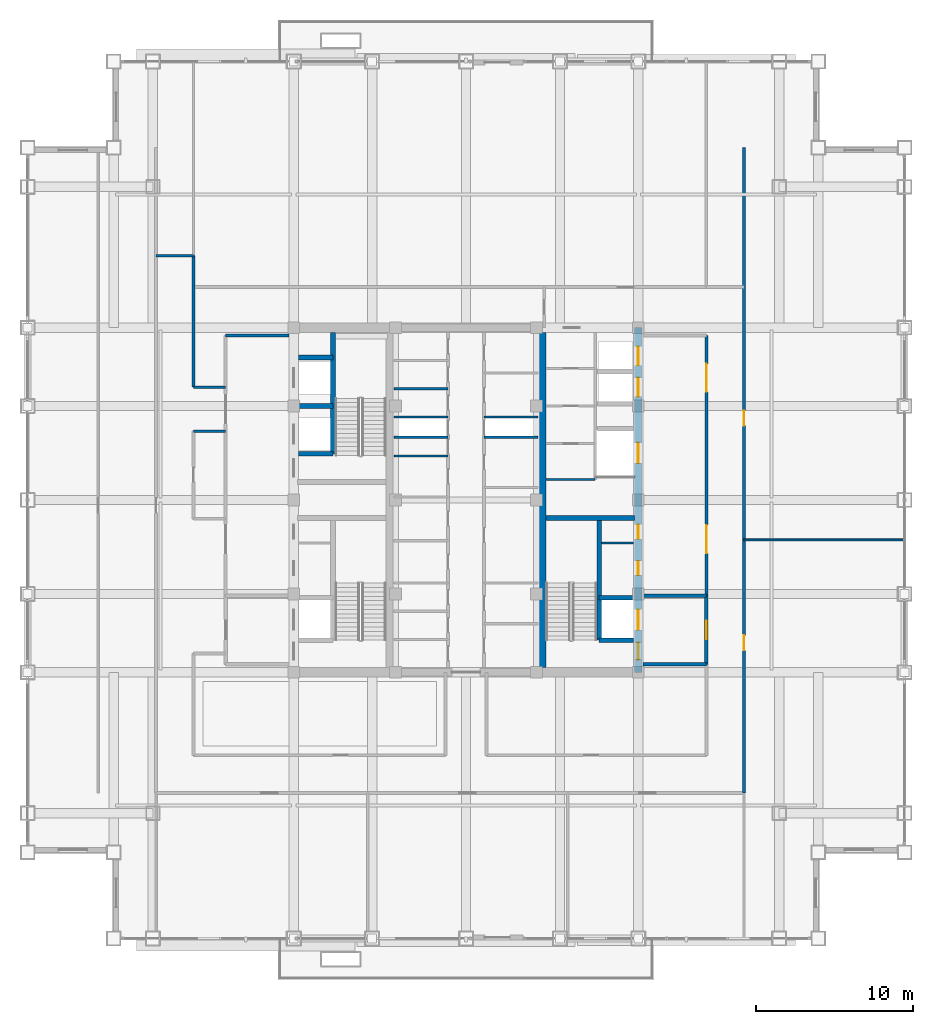
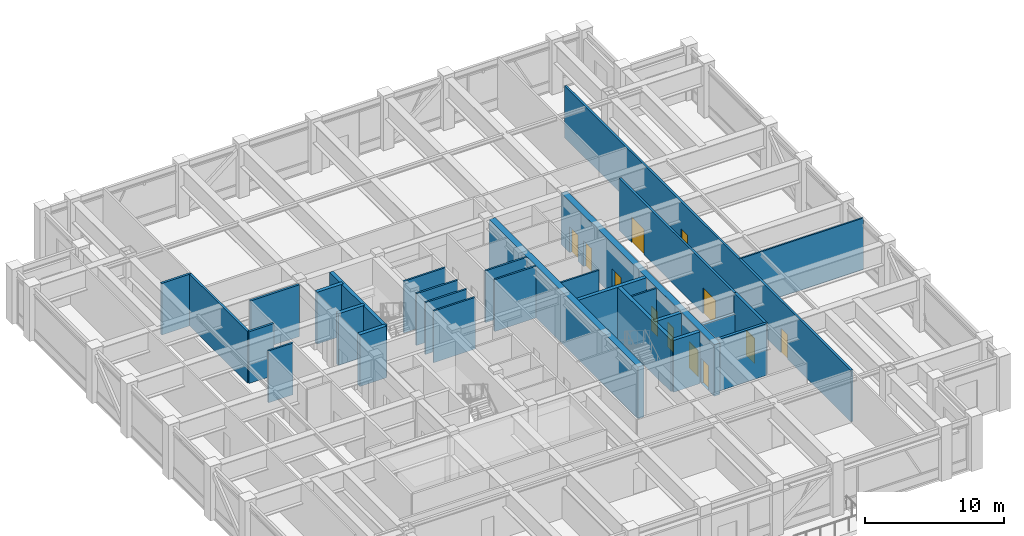
# One storey, part 24 of 31: 29 walls, 12 doors, 12 openings.
"""IFC4 building model written with IfcOpenShell, lengths in metres."""

from ifc_helpers import new_model, si_unit, direction, frame, frame_2d, origin, place, context, subcontext, project, spatial, rectangle, extrude, source, transform, mapped, material, layer, layer_set, type_object, element, fill, save


model = new_model("IFC4")

# Units and contexts
model_context = context("Model", 3, precision=1e-05, world=origin(), true_north=direction((0.0, 1.0)))
body_context = subcontext(model_context, "Body", "Model", "MODEL_VIEW")
ifc_project = project(units=[si_unit("LENGTHUNIT", "METRE"), si_unit("AREAUNIT", "SQUARE_METRE"), si_unit("VOLUMEUNIT", "CUBIC_METRE"), si_unit("PLANEANGLEUNIT", "RADIAN"), si_unit("MASSUNIT", "GRAM", prefix="KILO")], contexts=[model_context])

# Site, building, storey
site_placement = place(None, origin())
site = spatial("IfcSite", under=ifc_project, at=site_placement, CompositionType="ELEMENT")
building_placement = place(site_placement, origin())
building = spatial("IfcBuilding", under=site, at=building_placement, Name="Khorayat Bourse Tower", CompositionType="ELEMENT")
storey_placement = place(building_placement, frame((0.0, 0.0, 321.5)))
storey = spatial("IfcBuildingStorey", under=building, at=storey_placement, Name="L76", CompositionType="ELEMENT", Elevation=321.5)

# Wall, openings, doors
ifc_material_1 = material(Name="Concrete C52/65", Category="concrete")
ifc_layer_1 = layer(ifc_material_1, 0.5)
ifc_layer_set_1 = layer_set([ifc_layer_1], Name="Concrete C52/65")
wall_type_1 = type_object("IfcWallType", Name="WAL-CORE-500", PredefinedType="SHEAR", material=ifc_layer_set_1)
shared_shape_1 = source(origin(), body_context, "Body", "SweptSolid", [
    extrude(rectangle(XDim=22.0, YDim=0.5, at=frame_2d((11.0, 0.0))), origin(), (0.0, 0.0, 1.0), 4.5400390625),
])
wall_1_placement = place(storey_placement, frame((11.0, -11.0, 0.0), z_axis=(0.0, 0.0, 1.0), x_axis=(0.0, 1.0, 0.0)))
wall_1 = element("IfcWall", 1, at=wall_1_placement, inside=storey, type_object=wall_type_1, Name="L76 Core Shear Wall CORE-E", PredefinedType="SHEAR", context=body_context, shape_type="MappedRepresentation", body=[
    mapped(shared_shape_1, transform((0.0, 0.0, 0.0), scale=1.0)),
])
shared_shape_2 = source(origin(), body_context, "Body", "SweptSolid", [
    extrude(rectangle(XDim=1.10009765625, YDim=2.199951171875, at=frame_2d((0.550048828125, 1.10009765625))), frame((0.0, 0.260009765625, 0.0), z_axis=(0.0, -1.0, 0.0), x_axis=(1.0, 0.0, 0.0)), (0.0, 0.0, 1.0), 0.52001953125),
])
opening_1_placement = place(wall_1_placement, frame((0.800048828125, 0.0, 0.0)))
opening_1 = element("IfcOpeningElement", 2, at=opening_1_placement, cuts=wall_1, Name="Opening DI-01", PredefinedType="OPENING", context=body_context, shape_type="MappedRepresentation", body=[
    mapped(shared_shape_2, transform((0.0, 0.0, 0.0), scale=1.0)),
])
shared_shape_3 = source(origin(), body_context, "Body", "SweptSolid", [
    extrude(rectangle(XDim=0.89990234375, YDim=2.14990234375, at=frame_2d((0.449951171875, 1.074951171875))), frame((0.0, 0.260009765625, 0.0), z_axis=(0.0, -1.0, 0.0), x_axis=(1.0, 0.0, 0.0)), (0.0, 0.0, 1.0), 0.52001953125),
])
opening_2_placement = place(wall_1_placement, frame((6.199951171875, 0.0, 0.0)))
opening_2 = element("IfcOpeningElement", 3, at=opening_2_placement, cuts=wall_1, Name="Opening DI-06", PredefinedType="OPENING", context=body_context, shape_type="MappedRepresentation", body=[
    mapped(shared_shape_3, transform((0.0, 0.0, 0.0), scale=1.0)),
])
opening_3_placement = place(wall_1_placement, frame((8.52490234375, 0.0, 0.0)))
opening_3 = element("IfcOpeningElement", 4, at=opening_3_placement, cuts=wall_1, Name="Opening DI-06", PredefinedType="OPENING", context=body_context, shape_type="MappedRepresentation", body=[
    mapped(shared_shape_3, transform((0.0, 0.0, 0.0), scale=1.0)),
])
shared_shape_4 = source(origin(), body_context, "Body", "SweptSolid", [
    extrude(rectangle(XDim=1.199951171875, YDim=2.300048828125, at=frame_2d((0.60009765625, 1.14990234375))), frame((0.0, 0.260009765625, 0.0), z_axis=(0.0, -1.0, 0.0), x_axis=(1.0, 0.0, 0.0)), (0.0, 0.0, 1.0), 0.52001953125),
])
opening_4_placement = place(wall_1_placement, frame((17.60009765625, 0.0, 0.0)))
opening_4 = element("IfcOpeningElement", 5, at=opening_4_placement, cuts=wall_1, Name="Opening LD-01", PredefinedType="OPENING", context=body_context, shape_type="MappedRepresentation", body=[
    mapped(shared_shape_4, transform((0.0, 0.0, 0.0), scale=1.0)),
])
opening_5_placement = place(wall_1_placement, frame((19.60009765625, 0.0, 0.0)))
opening_5 = element("IfcOpeningElement", 6, at=opening_5_placement, cuts=wall_1, Name="Opening LD-01", PredefinedType="OPENING", context=body_context, shape_type="MappedRepresentation", body=[
    mapped(shared_shape_4, transform((0.0, 0.0, 0.0), scale=1.0)),
])
shared_shape_5 = source(origin(), body_context, "Body", "SweptSolid", [
    extrude(rectangle(XDim=1.300048828125, YDim=2.300048828125, at=frame_2d((0.64990234375, 1.14990234375))), frame((0.0, 0.260009765625, 0.0), z_axis=(0.0, -1.0, 0.0), x_axis=(1.0, 0.0, 0.0)), (0.0, 0.0, 1.0), 0.52001953125),
])
opening_6_placement = place(wall_1_placement, frame((2.699951171875, 0.0, 0.0)))
opening_6 = element("IfcOpeningElement", 7, at=opening_6_placement, cuts=wall_1, Name="Opening LD-02", PredefinedType="OPENING", context=body_context, shape_type="MappedRepresentation", body=[
    mapped(shared_shape_5, transform((0.0, 0.0, 0.0), scale=1.0)),
])
opening_7_placement = place(wall_1_placement, frame((13.35009765625, 0.0, 0.0)))
opening_7 = element("IfcOpeningElement", 8, at=opening_7_placement, cuts=wall_1, Name="Opening LD-02", PredefinedType="OPENING", context=body_context, shape_type="MappedRepresentation", body=[
    mapped(shared_shape_5, transform((0.0, 0.0, 0.0), scale=1.0)),
])
ifc_material_2 = material(Name="Fire-rated steel acoustic leaf", Category="steel")
door_type_1 = type_object("IfcDoorType", Name="DR-INT-STAIR-1100", OperationType="NOTDEFINED", PredefinedType="DOOR", material=ifc_material_2)
shared_shape_6 = source(origin(), body_context, "Body", "SweptSolid", [
    extrude(rectangle(XDim=1.10009765625, YDim=2.199951171875, at=frame_2d((0.550048828125, 1.10009765625))), frame((0.0, 0.02490234375, 0.0), z_axis=(0.0, -1.0, 0.0), x_axis=(1.0, 0.0, 0.0)), (0.0, 0.0, 1.0), 0.050048828125),
])
door_1_placement = place(opening_1_placement, origin())
door_1 = element("IfcDoor", 9, at=door_1_placement, inside=storey, type_object=door_type_1, Name="L76 Exit Stair 3 Door", OperationType="SINGLE_SWING_LEFT", OverallHeight=2.199951171875, OverallWidth=1.10009765625, PredefinedType="DOOR", context=body_context, shape_type="MappedRepresentation", body=[
    mapped(shared_shape_6, transform((0.0, 0.0, 0.0), scale=1.0)),
])
fill(opening_1, door_1)
ifc_material_3 = material(Name="Moisture-resistant laminate washroom door")
door_type_2 = type_object("IfcDoorType", Name="DR-INT-WC-900", OperationType="NOTDEFINED", PredefinedType="DOOR", material=ifc_material_3)
shared_shape_7 = source(origin(), body_context, "Body", "SweptSolid", [
    extrude(rectangle(XDim=0.89990234375, YDim=2.14990234375, at=frame_2d((0.449951171875, 1.074951171875))), frame((0.0, 0.02490234375, 0.0), z_axis=(0.0, -1.0, 0.0), x_axis=(1.0, 0.0, 0.0)), (0.0, 0.0, 1.0), 0.050048828125),
])
door_2_placement = place(opening_2_placement, origin())
door_2 = element("IfcDoor", 10, at=door_2_placement, inside=storey, type_object=door_type_2, Name="L76 Telecom Closet Door", OperationType="SINGLE_SWING_LEFT", OverallHeight=2.14990234375, OverallWidth=0.89990234375, PredefinedType="DOOR", context=body_context, shape_type="MappedRepresentation", body=[
    mapped(shared_shape_7, transform((0.0, 0.0, 0.0), scale=1.0)),
])
fill(opening_2, door_2)
door_3_placement = place(opening_3_placement, origin())
door_3 = element("IfcDoor", 11, at=door_3_placement, inside=storey, type_object=door_type_2, Name="L76 Stationery Store Door", OperationType="SINGLE_SWING_RIGHT", OverallHeight=2.14990234375, OverallWidth=0.89990234375, PredefinedType="DOOR", context=body_context, shape_type="MappedRepresentation", body=[
    mapped(shared_shape_7, transform((0.0, 0.0, 0.0), scale=1.0)),
])
fill(opening_3, door_3)
ifc_material_4 = material(Name="Brushed bronze stainless-steel sliding door", Category="steel")
door_type_3 = type_object("IfcDoorType", Name="DR-LIFT-PASS-1200", OperationType="NOTDEFINED", PredefinedType="DOOR", material=ifc_material_4)
shared_shape_8 = source(origin(), body_context, "Body", "SweptSolid", [
    extrude(rectangle(XDim=1.199951171875, YDim=2.300048828125, at=frame_2d((0.60009765625, 1.14990234375))), frame((0.0, 0.02490234375, 0.0), z_axis=(0.0, -1.0, 0.0), x_axis=(1.0, 0.0, 0.0)), (0.0, 0.0, 1.0), 0.050048828125),
])
door_4_placement = place(opening_4_placement, origin())
door_4 = element("IfcDoor", 12, at=door_4_placement, inside=storey, type_object=door_type_3, Name="L76 Lift PL-H3 Sliding Landing Door", OperationType="SLIDING_TO_LEFT", OverallHeight=2.300048828125, OverallWidth=1.199951171875, PredefinedType="DOOR", context=body_context, shape_type="MappedRepresentation", body=[
    mapped(shared_shape_8, transform((0.0, 0.0, 0.0), scale=1.0)),
])
fill(opening_4, door_4)
door_5_placement = place(opening_5_placement, origin())
door_5 = element("IfcDoor", 13, at=door_5_placement, inside=storey, type_object=door_type_3, Name="L76 Lift PL-H4 Sliding Landing Door", OperationType="SLIDING_TO_LEFT", OverallHeight=2.300048828125, OverallWidth=1.199951171875, PredefinedType="DOOR", context=body_context, shape_type="MappedRepresentation", body=[
    mapped(shared_shape_8, transform((0.0, 0.0, 0.0), scale=1.0)),
])
fill(opening_5, door_5)
ifc_material_5 = material(Name="Fire-rated stainless-steel sliding landing door", Category="steel")
door_type_4 = type_object("IfcDoorType", Name="DR-LIFT-FF-1300", OperationType="NOTDEFINED", PredefinedType="DOOR", material=ifc_material_5)
shared_shape_9 = source(origin(), body_context, "Body", "SweptSolid", [
    extrude(rectangle(XDim=1.300048828125, YDim=2.300048828125, at=frame_2d((0.64990234375, 1.14990234375))), frame((0.0, 0.02490234375, 0.0), z_axis=(0.0, -1.0, 0.0), x_axis=(1.0, 0.0, 0.0)), (0.0, 0.0, 1.0), 0.050048828125),
])
door_6_placement = place(opening_6_placement, origin())
door_6 = element("IfcDoor", 14, at=door_6_placement, inside=storey, type_object=door_type_4, Name="L76 Lift FFL-02 Sliding Landing Door", OperationType="SLIDING_TO_LEFT", OverallHeight=2.300048828125, OverallWidth=1.300048828125, PredefinedType="DOOR", context=body_context, shape_type="MappedRepresentation", body=[
    mapped(shared_shape_9, transform((0.0, 0.0, 0.0), scale=1.0)),
])
fill(opening_6, door_6)
door_7_placement = place(opening_7_placement, origin())
door_7 = element("IfcDoor", 15, at=door_7_placement, inside=storey, type_object=door_type_4, Name="L76 Lift SVL-01 Sliding Landing Door", OperationType="SLIDING_TO_LEFT", OverallHeight=2.300048828125, OverallWidth=1.300048828125, PredefinedType="DOOR", context=body_context, shape_type="MappedRepresentation", body=[
    mapped(shared_shape_9, transform((0.0, 0.0, 0.0), scale=1.0)),
])
fill(opening_7, door_7)

# Walls
shared_shape_10 = source(origin(), body_context, "Body", "SweptSolid", [
    extrude(rectangle(XDim=21.39990234375, YDim=0.5, at=frame_2d((10.699951171875, 0.0))), origin(), (0.0, 0.0, 1.0), 4.5400390625),
])
wall_2_placement = place(storey_placement, frame((4.85009765625, -10.699951171875, 0.0), z_axis=(0.0, 0.0, 1.0), x_axis=(0.0, 1.0, 0.0)))
element("IfcWall", 16, at=wall_2_placement, inside=storey, type_object=wall_type_1, Name="L76 Core Shear Wall PIER-E", PredefinedType="SHEAR", context=body_context, shape_type="MappedRepresentation", body=[
    mapped(shared_shape_10, transform((0.0, 0.0, 0.0), scale=1.0)),
])
ifc_material_6 = material(Name="Concrete C50/60", Category="concrete")
ifc_layer_2 = layer(ifc_material_6, 0.300048828125)
ifc_layer_set_2 = layer_set([ifc_layer_2], Name="Concrete C50/60")
wall_type_2 = type_object("IfcWallType", Name="WAL-SHAFT-300", PredefinedType="SHEAR", material=ifc_layer_set_2)
shared_shape_11 = source(origin(), body_context, "Body", "SweptSolid", [
    extrude(rectangle(XDim=5.64990234375, YDim=0.300048828125, at=frame_2d((2.824951171875, 0.0))), origin(), (0.0, 0.0, 1.0), 4.5400390625),
])
wall_3_placement = place(storey_placement, frame((5.10009765625, -1.14990234375, 0.0), z_axis=(0.0, 0.0, 1.0), x_axis=(1.0, 0.0, 0.0)))
element("IfcWall", 17, at=wall_3_placement, inside=storey, type_object=wall_type_2, Name="L76 Core Shear Wall ST3-DIV", PredefinedType="SHEAR", context=body_context, shape_type="MappedRepresentation", body=[
    mapped(shared_shape_11, transform((0.0, 0.0, 0.0), scale=1.0)),
])
shared_shape_12 = source(origin(), body_context, "Body", "SweptSolid", [
    extrude(rectangle(XDim=7.800048828125, YDim=0.300048828125, at=frame_2d((3.89990234375, 0.0))), origin(), (0.0, 0.0, 1.0), 4.5400390625),
])
wall_4_placement = place(storey_placement, frame((8.5, -8.949951171875, 0.0), z_axis=(0.0, 0.0, 1.0), x_axis=(0.0, 1.0, 0.0)))
element("IfcWall", 18, at=wall_4_placement, inside=storey, type_object=wall_type_2, Name="L76 Partition WAL-L76-EPIER-SP", PredefinedType="SHEAR", context=body_context, shape_type="MappedRepresentation", body=[
    mapped(shared_shape_12, transform((0.0, 0.0, 0.0), scale=1.0)),
])
shared_shape_13 = source(origin(), body_context, "Body", "SweptSolid", [
    extrude(rectangle(XDim=2.199951171875, YDim=0.300048828125, at=frame_2d((1.10009765625, 0.0))), origin(), (0.0, 0.0, 1.0), 4.5400390625),
])
for number, where, z_axis, x_axis, name in (
    (19, (-10.699951171875, 2.949951171875, 0.0), (0.0, 0.0, 1.0), (1.0, 0.0, 0.0), "L76 Partition WAL-L76-WPIER-H1S"),
    (20, (-10.699951171875, 6.0, 0.0), (0.0, 0.0, 1.0), (1.0, 0.0, 0.0), "L76 Partition WAL-L76-WPIER-H12"),
    (21, (-10.699951171875, 9.10009765625, 0.0), (0.0, 0.0, 1.0), (1.0, 0.0, 0.0), "L76 Partition WAL-L76-WPIER-H2N"),
    (22, (8.5, -8.949951171875, 0.0), (0.0, 0.0, 1.0), (1.0, 0.0, 0.0), "L76 Partition WAL-L76-EPIER-FF2S"),
    (23, (8.5, -6.25, 0.0), (0.0, 0.0, 1.0), (1.0, 0.0, 0.0), "L76 Partition WAL-L76-EPIER-FF2N"),
):
    element("IfcWall", number, at=place(storey_placement, frame(where, z_axis=z_axis, x_axis=x_axis)), inside=storey, type_object=wall_type_2, Name=name, PredefinedType="SHEAR", context=body_context, shape_type="MappedRepresentation", body=[
        mapped(shared_shape_13, transform((0.0, 0.0, 0.0), scale=1.0)),
    ])
shared_shape_14 = source(origin(), body_context, "Body", "SweptSolid", [
    extrude(rectangle(XDim=7.75, YDim=0.300048828125, at=frame_2d((3.875, 0.0))), origin(), (0.0, 0.0, 1.0), 4.5400390625),
])
wall_5_placement = place(storey_placement, frame((-8.5, 2.949951171875, 0.0), z_axis=(0.0, 0.0, 1.0), x_axis=(0.0, 1.0, 0.0)))
element("IfcWall", 24, at=wall_5_placement, inside=storey, type_object=wall_type_2, Name="L76 Partition WAL-L76-WPIER-ST2S", PredefinedType="SHEAR", context=body_context, shape_type="MappedRepresentation", body=[
    mapped(shared_shape_14, transform((0.0, 0.0, 0.0), scale=1.0)),
])
ifc_material_7 = material(Name="Gypsum plasterboard twin-frame partition")
ifc_layer_3 = layer(ifc_material_7, 0.14990234375)
ifc_layer_set_3 = layer_set([ifc_layer_3], Name="Gypsum plasterboard twin-frame partition")
wall_type_3 = type_object("IfcWallType", Name="WAL-PART-SUITE-150", PredefinedType="PARTITIONING", material=ifc_layer_set_3)
shared_shape_15 = source(origin(), body_context, "Body", "SweptSolid", [
    extrude(rectangle(XDim=2.050048828125, YDim=0.14990234375, at=frame_2d((1.02490234375, 0.0))), origin(), (0.0, 0.0, 1.0), 4.5400390625),
])
wall_6_placement = place(storey_placement, frame((8.64990234375, -2.75, 0.0), z_axis=(0.0, 0.0, 1.0), x_axis=(1.0, 0.0, 0.0)))
element("IfcWall", 25, at=wall_6_placement, inside=storey, type_object=wall_type_3, Name="L76 Partition WAL-L76-ESRV-D1", PredefinedType="PARTITIONING", context=body_context, shape_type="MappedRepresentation", body=[
    mapped(shared_shape_15, transform((0.0, 0.0, 0.0), scale=1.0)),
])
ifc_material_8 = material(Name="Moisture-resistant masonry partition", Category="masonry")
ifc_layer_4 = layer(ifc_material_8, 0.139892578125)
ifc_layer_set_4 = layer_set([ifc_layer_4], Name="Moisture-resistant masonry partition")
wall_type_4 = type_object("IfcWallType", Name="WAL-PART-WET-140", PredefinedType="PARTITIONING", material=ifc_layer_set_4)
shared_shape_16 = source(origin(), body_context, "Body", "SweptSolid", [
    extrude(rectangle(XDim=3.14990234375, YDim=0.139892578125, at=frame_2d((1.574951171875, 0.0))), origin(), (0.0, 0.0, 1.0), 4.5400390625),
])
wall_7_placement = place(storey_placement, frame((5.10009765625, 1.300048828125, 0.0), z_axis=(0.0, 0.0, 1.0), x_axis=(1.0, 0.0, 0.0)))
element("IfcWall", 26, at=wall_7_placement, inside=storey, type_object=wall_type_4, Name="L76 Partition WAL-L76-ECORE-S", PredefinedType="PARTITIONING", context=body_context, shape_type="MappedRepresentation", body=[
    mapped(shared_shape_16, transform((0.0, 0.0, 0.0), scale=1.0)),
])
ifc_material_9 = material(Name="Aerated concrete blockwork", Category="masonry")
ifc_layer_5 = layer(ifc_material_9, 0.219970703125)
ifc_layer_set_5 = layer_set([ifc_layer_5], Name="Aerated concrete blockwork")
wall_type_5 = type_object("IfcWallType", Name="WAL-PART-FF-220", PredefinedType="PARTITIONING", material=ifc_layer_set_5)
shared_shape_17 = source(origin(), body_context, "Body", "SweptSolid", [
    extrude(rectangle(XDim=4.050048828125, YDim=0.219970703125, at=frame_2d((2.02490234375, 0.0))), origin(), (0.0, 0.0, 1.0), 4.5400390625),
])
wall_8_placement = place(storey_placement, frame((11.300048828125, -10.5, 0.0), z_axis=(0.0, 0.0, 1.0), x_axis=(1.0, 0.0, 0.0)))
element("IfcWall", 27, at=wall_8_placement, inside=storey, type_object=wall_type_5, Name="L76 Partition WAL-L76-FFLE-S", PredefinedType="PARTITIONING", context=body_context, shape_type="MappedRepresentation", body=[
    mapped(shared_shape_17, transform((0.0, 0.0, 0.0), scale=1.0)),
])
shared_shape_18 = source(origin(), body_context, "Body", "SweptSolid", [
    extrude(rectangle(XDim=4.050048828125, YDim=0.219970703125, at=frame_2d((2.02490234375, 0.0))), origin(), (0.0, 0.0, 1.0), 2.739990234375),
])
wall_9_placement = place(storey_placement, frame((11.300048828125, -6.10009765625, 0.0), z_axis=(0.0, 0.0, 1.0), x_axis=(1.0, 0.0, 0.0)))
element("IfcWall", 28, at=wall_9_placement, inside=storey, type_object=wall_type_5, Name="L76 Partition WAL-L76-FFLE-N", PredefinedType="PARTITIONING", context=body_context, shape_type="MappedRepresentation", body=[
    mapped(shared_shape_18, transform((0.0, 0.0, 0.0), scale=1.0)),
])

# Wall, opening, door
shared_shape_19 = source(origin(), body_context, "Body", "SweptSolid", [
    extrude(rectangle(XDim=4.39990234375, YDim=0.219970703125, at=frame_2d((2.199951171875, 0.0))), origin(), (0.0, 0.0, 1.0), 4.5400390625),
])
wall_10_placement = place(storey_placement, frame((15.35009765625, -10.5, 0.0), z_axis=(0.0, 0.0, 1.0), x_axis=(0.0, 1.0, 0.0)))
wall_10 = element("IfcWall", 29, at=wall_10_placement, inside=storey, type_object=wall_type_5, Name="L76 Partition WAL-L76-FFLE-E", PredefinedType="PARTITIONING", context=body_context, shape_type="MappedRepresentation", body=[
    mapped(shared_shape_19, transform((0.0, 0.0, 0.0), scale=1.0)),
])
shared_shape_20 = source(origin(), body_context, "Body", "SweptSolid", [
    extrude(rectangle(XDim=1.199951171875, YDim=2.199951171875, at=frame_2d((0.60009765625, 1.10009765625))), frame((0.0, 0.119873046875, 0.0), z_axis=(0.0, -1.0, 0.0), x_axis=(1.0, 0.0, 0.0)), (0.0, 0.0, 1.0), 0.239990234375),
])
opening_8_placement = place(wall_10_placement, frame((1.60009765625, 0.0, 0.0)))
opening_8 = element("IfcOpeningElement", 30, at=opening_8_placement, cuts=wall_10, Name="Opening DI-02", PredefinedType="OPENING", context=body_context, shape_type="MappedRepresentation", body=[
    mapped(shared_shape_20, transform((0.0, 0.0, 0.0), scale=1.0)),
])
ifc_material_10 = material(Name="Fire-rated steel double-seal leaf", Category="steel")
door_type_5 = type_object("IfcDoorType", Name="DR-INT-FFLOBBY-1200", OperationType="NOTDEFINED", PredefinedType="DOOR", material=ifc_material_10)
shared_shape_21 = source(origin(), body_context, "Body", "SweptSolid", [
    extrude(rectangle(XDim=1.199951171875, YDim=2.199951171875, at=frame_2d((0.60009765625, 1.10009765625))), frame((0.0, 0.02490234375, 0.0), z_axis=(0.0, -1.0, 0.0), x_axis=(1.0, 0.0, 0.0)), (0.0, 0.0, 1.0), 0.050048828125),
])
door_8_placement = place(opening_8_placement, origin())
door_8 = element("IfcDoor", 31, at=door_8_placement, inside=storey, type_object=door_type_5, Name="L76 East Firefighting Lobby Door", OperationType="SINGLE_SWING_RIGHT", OverallHeight=2.199951171875, OverallWidth=1.199951171875, PredefinedType="DOOR", context=body_context, shape_type="MappedRepresentation", body=[
    mapped(shared_shape_21, transform((0.0, 0.0, 0.0), scale=1.0)),
])
fill(opening_8, door_8)

# Wall
ifc_material_11 = material(Name="Gypsum plasterboard acoustic stud wall")
ifc_layer_6 = layer(ifc_material_11, 0.179931640625)
ifc_layer_set_6 = layer_set([ifc_layer_6], Name="Gypsum plasterboard acoustic stud wall")
wall_type_6 = type_object("IfcWallType", Name="WAL-PART-CORR-180", PredefinedType="PARTITIONING", material=ifc_layer_set_6)
shared_shape_22 = source(origin(), body_context, "Body", "SweptSolid", [
    extrude(rectangle(XDim=4.050048828125, YDim=0.179931640625, at=frame_2d((2.02490234375, 0.0))), origin(), (0.0, 0.0, 1.0), 4.5400390625),
])
wall_11_placement = place(storey_placement, frame((-15.35009765625, 10.5, 0.0), z_axis=(0.0, 0.0, 1.0), x_axis=(1.0, 0.0, 0.0)))
element("IfcWall", 32, at=wall_11_placement, inside=storey, type_object=wall_type_6, Name="L76 Partition WAL-L76-WLOB-N", PredefinedType="PARTITIONING", context=body_context, shape_type="MappedRepresentation", body=[
    mapped(shared_shape_22, transform((0.0, 0.0, 0.0), scale=1.0)),
])

# Wall, openings, doors
shared_shape_23 = source(origin(), body_context, "Body", "SweptSolid", [
    extrude(rectangle(XDim=16.60009765625, YDim=0.179931640625, at=frame_2d((8.300048828125, 0.0))), origin(), (0.0, 0.0, 1.0), 4.5400390625),
])
wall_12_placement = place(storey_placement, frame((15.35009765625, -6.10009765625, 0.0), z_axis=(0.0, 0.0, 1.0), x_axis=(0.0, 1.0, 0.0)))
wall_12 = element("IfcWall", 33, at=wall_12_placement, inside=storey, type_object=wall_type_6, Name="L76 Partition WAL-L76-ELOB-E", PredefinedType="PARTITIONING", context=body_context, shape_type="MappedRepresentation", body=[
    mapped(shared_shape_23, transform((0.0, 0.0, 0.0), scale=1.0)),
])
shared_shape_24 = source(origin(), body_context, "Body", "SweptSolid", [
    extrude(rectangle(XDim=1.800048828125, YDim=2.25, at=frame_2d((0.89990234375, 1.125))), frame((0.0, 0.099853515625, 0.0), z_axis=(0.0, -1.0, 0.0), x_axis=(1.0, 0.0, 0.0)), (0.0, 0.0, 1.0), 0.199951171875),
])
opening_9_placement = place(wall_12_placement, frame((2.699951171875, 0.0, 0.0)))
opening_9 = element("IfcOpeningElement", 34, at=opening_9_placement, cuts=wall_12, Name="Opening DI-03", PredefinedType="OPENING", context=body_context, shape_type="MappedRepresentation", body=[
    mapped(shared_shape_24, transform((0.0, 0.0, 0.0), scale=1.0)),
])
opening_10_placement = place(wall_12_placement, frame((13.0, 0.0, 0.0)))
opening_10 = element("IfcOpeningElement", 35, at=opening_10_placement, cuts=wall_12, Name="Opening DI-03", PredefinedType="OPENING", context=body_context, shape_type="MappedRepresentation", body=[
    mapped(shared_shape_24, transform((0.0, 0.0, 0.0), scale=1.0)),
])
ifc_material_12 = material(Name="Fire-rated hardwood vision-panel double leaf", Category="wood")
door_type_6 = type_object("IfcDoorType", Name="DR-INT-CORR-1800", OperationType="NOTDEFINED", PredefinedType="DOOR", material=ifc_material_12)
shared_shape_25 = source(origin(), body_context, "Body", "SweptSolid", [
    extrude(rectangle(XDim=1.800048828125, YDim=2.25, at=frame_2d((0.89990234375, 1.125))), frame((0.0, 0.02490234375, 0.0), z_axis=(0.0, -1.0, 0.0), x_axis=(1.0, 0.0, 0.0)), (0.0, 0.0, 1.0), 0.050048828125),
])
door_9_placement = place(opening_9_placement, origin())
door_9 = element("IfcDoor", 36, at=door_9_placement, inside=storey, type_object=door_type_6, Name="L76 East Core Lobby South Door", OperationType="SINGLE_SWING_RIGHT", OverallHeight=2.25, OverallWidth=1.800048828125, PredefinedType="DOOR", context=body_context, shape_type="MappedRepresentation", body=[
    mapped(shared_shape_25, transform((0.0, 0.0, 0.0), scale=1.0)),
])
fill(opening_9, door_9)
door_10_placement = place(opening_10_placement, origin())
door_10 = element("IfcDoor", 37, at=door_10_placement, inside=storey, type_object=door_type_6, Name="L76 East Core Lobby North Door", OperationType="SINGLE_SWING_LEFT", OverallHeight=2.25, OverallWidth=1.800048828125, PredefinedType="DOOR", context=body_context, shape_type="MappedRepresentation", body=[
    mapped(shared_shape_25, transform((0.0, 0.0, 0.0), scale=1.0)),
])
fill(opening_10, door_10)

# Walls
shared_shape_26 = source(origin(), body_context, "Body", "SweptSolid", [
    extrude(rectangle(XDim=3.4501953125, YDim=0.14990234375, at=frame_2d((1.72509765625, 0.0))), origin(), (0.0, 0.0, 1.0), 4.5400390625),
])
for number, where, z_axis, x_axis, name in (
    (38, (-4.60009765625, 4.0, 0.0), (0.0, 0.0, 1.0), (1.0, 0.0, 0.0), "L76 Partition WAL-L76-CRSW-S"),
    (39, (1.14990234375, 4.0, 0.0), (0.0, 0.0, 1.0), (1.0, 0.0, 0.0), "L76 Partition WAL-L76-CRSE-S"),
    (40, (-4.60009765625, 5.300048828125, 0.0), (0.0, 0.0, 1.0), (1.0, 0.0, 0.0), "L76 Partition WAL-L76-FB2-SW"),
    (41, (1.14990234375, 5.300048828125, 0.0), (0.0, 0.0, 1.0), (1.0, 0.0, 0.0), "L76 Partition WAL-L76-FB2-SE"),
):
    element("IfcWall", number, at=place(storey_placement, frame(where, z_axis=z_axis, x_axis=x_axis)), inside=storey, type_object=wall_type_3, Name=name, PredefinedType="PARTITIONING", context=body_context, shape_type="MappedRepresentation", body=[
        mapped(shared_shape_26, transform((0.0, 0.0, 0.0), scale=1.0)),
    ])
shared_shape_27 = source(origin(), body_context, "Body", "SweptSolid", [
    extrude(rectangle(XDim=3.4501953125, YDim=0.139892578125, at=frame_2d((1.72509765625, 0.0))), origin(), (0.0, 0.0, 1.0), 4.5400390625),
])
for number, where, z_axis, x_axis, name in (
    (42, (-4.60009765625, 7.10009765625, 0.0), (0.0, 0.0, 1.0), (1.0, 0.0, 0.0), "L76 Partition WAL-L76-FB2W-D1"),
    (43, (-4.60009765625, 2.800048828125, 0.0), (0.0, 0.0, 1.0), (1.0, 0.0, 0.0), "L76 Partition WAL-L76-CMW-D3"),
):
    element("IfcWall", number, at=place(storey_placement, frame(where, z_axis=z_axis, x_axis=x_axis)), inside=storey, type_object=wall_type_4, Name=name, PredefinedType="PARTITIONING", context=body_context, shape_type="MappedRepresentation", body=[
        mapped(shared_shape_27, transform((0.0, 0.0, 0.0), scale=1.0)),
    ])
shared_shape_28 = source(origin(), body_context, "Body", "SweptSolid", [
    extrude(rectangle(XDim=2.0498046875, YDim=0.14990234375, at=frame_2d((1.02490234375, 0.0))), origin(), (0.0, 0.0, 1.0), 4.5400390625),
])
wall_13_placement = place(storey_placement, frame((-17.39990234375, 4.39990234375, 0.0), z_axis=(0.0, 0.0, 1.0), x_axis=(1.0, 0.0, 0.0)))
element("IfcWall", 44, at=wall_13_placement, inside=storey, type_object=wall_type_3, Name="L76 Partition WAL-L76-PKWM-N", PredefinedType="PARTITIONING", context=body_context, shape_type="MappedRepresentation", body=[
    mapped(shared_shape_28, transform((0.0, 0.0, 0.0), scale=1.0)),
])
shared_shape_29 = source(origin(), body_context, "Body", "SweptSolid", [
    extrude(rectangle(XDim=2.0498046875, YDim=0.179931640625, at=frame_2d((1.02490234375, 0.0))), origin(), (0.0, 0.0, 1.0), 4.5400390625),
])
wall_14_placement = place(storey_placement, frame((-17.39990234375, 7.199951171875, 0.0), z_axis=(0.0, 0.0, 1.0), x_axis=(1.0, 0.0, 0.0)))
element("IfcWall", 45, at=wall_14_placement, inside=storey, type_object=wall_type_6, Name="L76 Partition WAL-L76-THRWN-T", PredefinedType="PARTITIONING", context=body_context, shape_type="MappedRepresentation", body=[
    mapped(shared_shape_29, transform((0.0, 0.0, 0.0), scale=1.0)),
])
shared_shape_30 = source(origin(), body_context, "Body", "SweptSolid", [
    extrude(rectangle(XDim=8.400146484375, YDim=0.179931640625, at=frame_2d((4.2001953125, 0.0))), origin(), (0.0, 0.0, 1.0), 4.5400390625),
])
wall_15_placement = place(storey_placement, frame((-17.39990234375, 7.199951171875, 0.0), z_axis=(0.0, 0.0, 1.0), x_axis=(0.0, 1.0, 0.0)))
element("IfcWall", 46, at=wall_15_placement, inside=storey, type_object=wall_type_6, Name="L76 Partition WAL-L76-THRWN-N", PredefinedType="PARTITIONING", context=body_context, shape_type="MappedRepresentation", body=[
    mapped(shared_shape_30, transform((0.0, 0.0, 0.0), scale=1.0)),
])
shared_shape_31 = source(origin(), body_context, "Body", "SweptSolid", [
    extrude(rectangle(XDim=2.400146484375, YDim=0.179931640625, at=frame_2d((1.2001953125, 0.0))), origin(), (0.0, 0.0, 1.0), 4.5400390625),
])
wall_16_placement = place(storey_placement, frame((-19.800048828125, 15.60009765625, 0.0), z_axis=(0.0, 0.0, 1.0), x_axis=(1.0, 0.0, 0.0)))
element("IfcWall", 47, at=wall_16_placement, inside=storey, type_object=wall_type_6, Name="L76 Partition WAL-L76-GALW-N", PredefinedType="PARTITIONING", context=body_context, shape_type="MappedRepresentation", body=[
    mapped(shared_shape_31, transform((0.0, 0.0, 0.0), scale=1.0)),
])
ifc_material_13 = material(Name="Gypsum plasterboard partition")
ifc_layer_7 = layer(ifc_material_13, 0.125)
ifc_layer_set_7 = layer_set([ifc_layer_7], Name="Gypsum plasterboard partition")
wall_type_7 = type_object("IfcWallType", Name="WAL-PART-ROOM-125", PredefinedType="PARTITIONING", material=ifc_layer_set_7)
shared_shape_32 = source(origin(), body_context, "Body", "SweptSolid", [
    extrude(rectangle(XDim=10.25, YDim=0.125, at=frame_2d((5.125, 0.0))), origin(), (0.0, 0.0, 1.0), 4.5400390625),
])
wall_17_placement = place(storey_placement, frame((17.75, -2.5458984375, 0.0), z_axis=(0.0, 0.0, 1.0), x_axis=(1.0, 0.0, 0.0)))
element("IfcWall", 48, at=wall_17_placement, inside=storey, type_object=wall_type_7, Name="L76 Partition WAL-L76-EDV-1", PredefinedType="PARTITIONING", context=body_context, shape_type="MappedRepresentation", body=[
    mapped(shared_shape_32, transform((0.0, 0.0, 0.0), scale=1.0)),
])

# Wall, openings, doors
shared_shape_33 = source(origin(), body_context, "Body", "SweptSolid", [
    extrude(rectangle(XDim=41.199951171875, YDim=0.179931640625, at=frame_2d((20.60009765625, 0.0))), origin(), (0.0, 0.0, 1.0), 4.5400390625),
])
wall_18_placement = place(storey_placement, frame((17.75, -18.699951171875, 0.0), z_axis=(0.0, 0.0, 1.0), x_axis=(0.0, 1.0, 0.0)))
wall_18 = element("IfcWall", 49, at=wall_18_placement, inside=storey, type_object=wall_type_6, Name="L76 Partition WAL-L76-ECORR", PredefinedType="PARTITIONING", context=body_context, shape_type="MappedRepresentation", body=[
    mapped(shared_shape_33, transform((0.0, 0.0, 0.0), scale=1.0)),
])
shared_shape_34 = source(origin(), body_context, "Body", "SweptSolid", [
    extrude(rectangle(XDim=0.949951171875, YDim=2.14990234375, at=frame_2d((0.47509765625, 1.074951171875))), frame((0.0, 0.099853515625, 0.0), z_axis=(0.0, -1.0, 0.0), x_axis=(1.0, 0.0, 0.0)), (0.0, 0.0, 1.0), 0.199951171875),
])
opening_11_placement = place(wall_18_placement, frame((9.10205078125, 0.0, 0.0)))
opening_11 = element("IfcOpeningElement", 50, at=opening_11_placement, cuts=wall_18, Name="Opening DI-05", PredefinedType="OPENING", context=body_context, shape_type="MappedRepresentation", body=[
    mapped(shared_shape_34, transform((0.0, 0.0, 0.0), scale=1.0)),
])
opening_12_placement = place(wall_18_placement, frame((23.451904296875, 0.0, 0.0)))
opening_12 = element("IfcOpeningElement", 51, at=opening_12_placement, cuts=wall_18, Name="Opening DI-05", PredefinedType="OPENING", context=body_context, shape_type="MappedRepresentation", body=[
    mapped(shared_shape_34, transform((0.0, 0.0, 0.0), scale=1.0)),
])
ifc_material_14 = material(Name="Acoustic oak veneer office door")
door_type_7 = type_object("IfcDoorType", Name="DR-INT-OFFICE-950", OperationType="NOTDEFINED", PredefinedType="DOOR", material=ifc_material_14)
shared_shape_35 = source(origin(), body_context, "Body", "SweptSolid", [
    extrude(rectangle(XDim=0.949951171875, YDim=2.14990234375, at=frame_2d((0.47509765625, 1.074951171875))), frame((0.0, 0.02490234375, 0.0), z_axis=(0.0, -1.0, 0.0), x_axis=(1.0, 0.0, 0.0)), (0.0, 0.0, 1.0), 0.050048828125),
])
door_11_placement = place(opening_11_placement, origin())
door_11 = element("IfcDoor", 52, at=door_11_placement, inside=storey, type_object=door_type_7, Name="L76 Catering Servery Kitchen E1 Door", OperationType="SINGLE_SWING_RIGHT", OverallHeight=2.14990234375, OverallWidth=0.949951171875, PredefinedType="DOOR", context=body_context, shape_type="MappedRepresentation", body=[
    mapped(shared_shape_35, transform((0.0, 0.0, 0.0), scale=1.0)),
])
fill(opening_11, door_11)
door_12_placement = place(opening_12_placement, origin())
door_12 = element("IfcDoor", 53, at=door_12_placement, inside=storey, type_object=door_type_7, Name="L76 Staff Tea Pantry E2 Door", OperationType="SINGLE_SWING_LEFT", OverallHeight=2.14990234375, OverallWidth=0.949951171875, PredefinedType="DOOR", context=body_context, shape_type="MappedRepresentation", body=[
    mapped(shared_shape_35, transform((0.0, 0.0, 0.0), scale=1.0)),
])
fill(opening_12, door_12)

save(model, "model.ifc")
